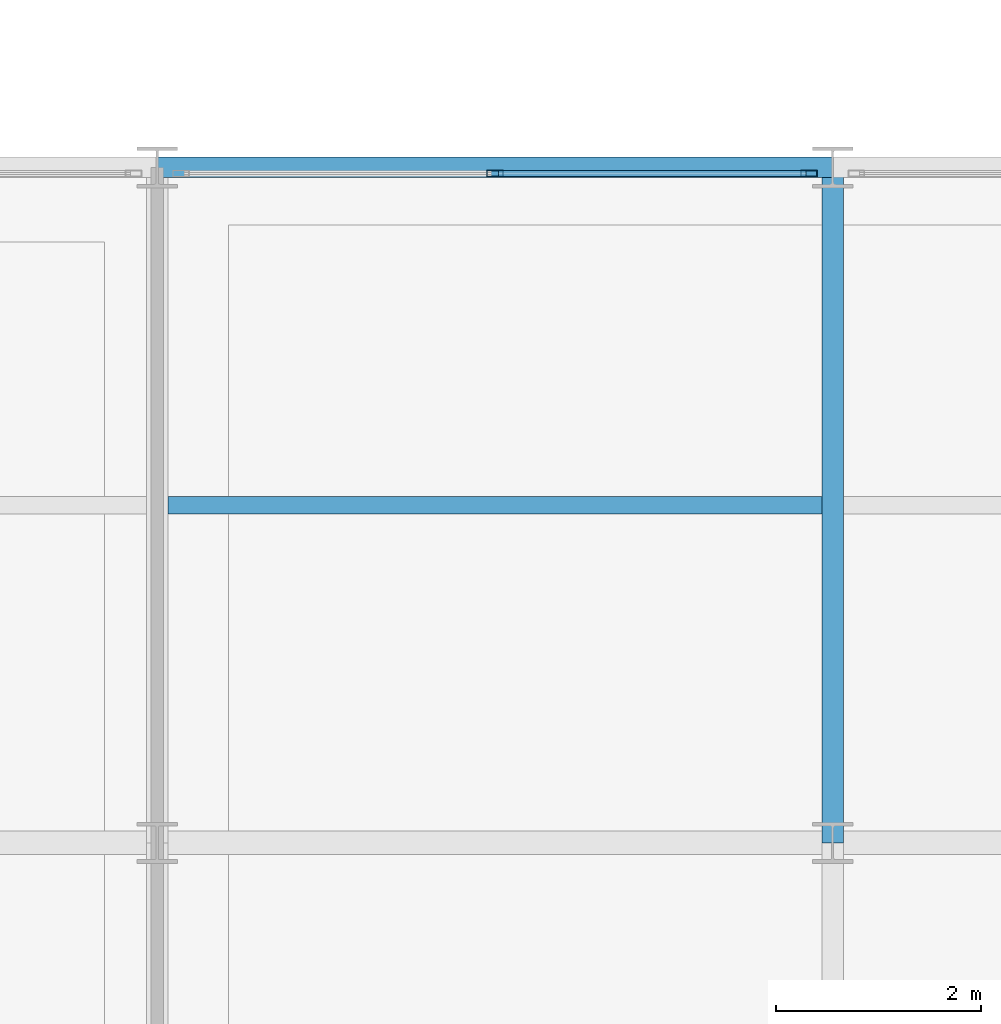
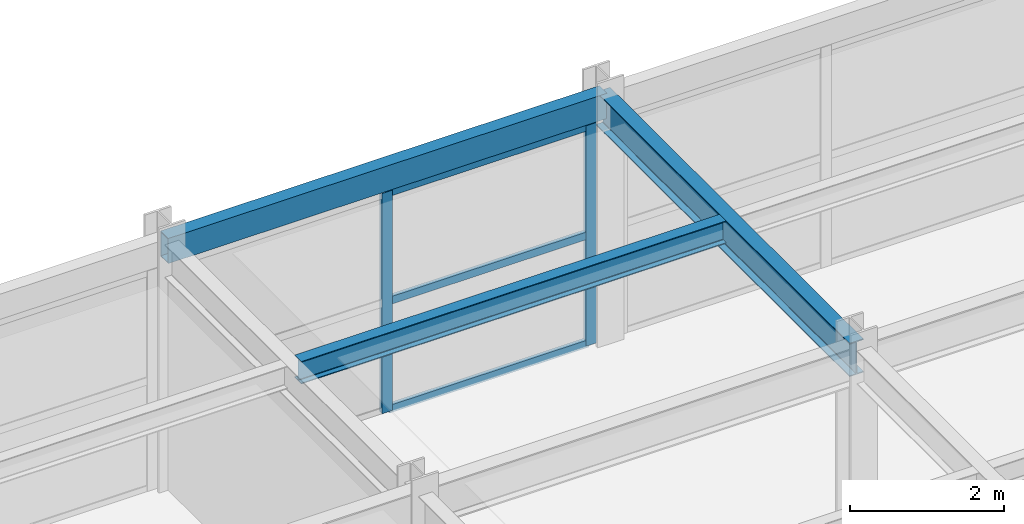
# One storey, part 56 of 147: 5 members, 3 beams, 1 element without a shape of its own.
"""IFC4 building model written with IfcOpenShell, lengths in metres."""

from ifc_helpers import new_model, si_unit, direction, frame, origin, origin_2d, place, context, subcontext, project, spatial, hollow_rectangle, i_section, extrude, material, material_profile, profile_set, type_object, element, aggregate, save


model = new_model("IFC4")

# Units and contexts
model_context = context("Model", 3, precision=1e-05, world=origin(), true_north=direction((0.0, 1.0)))
body_context = subcontext(model_context, "Body", "Model", "MODEL_VIEW")
ifc_project = project(units=[si_unit("LENGTHUNIT", "METRE"), si_unit("AREAUNIT", "SQUARE_METRE"), si_unit("VOLUMEUNIT", "CUBIC_METRE"), si_unit("PLANEANGLEUNIT", "RADIAN"), si_unit("MASSUNIT", "GRAM", prefix="KILO")], contexts=[model_context])

# Site, building, storey
site_placement = place(None, origin())
site = spatial("IfcSite", under=ifc_project, at=site_placement, CompositionType="ELEMENT")
building_placement = place(site_placement, origin())
building = spatial("IfcBuilding", under=site, at=building_placement, Name="Karori Crest Natural Sciences Institute", CompositionType="ELEMENT")
storey_placement = place(building_placement, frame((0.0, 0.0, 9.10009765625)))
storey = spatial("IfcBuildingStorey", under=building, at=storey_placement, Name="L02", CompositionType="ELEMENT", Elevation=9.10009765625)

# Beams
ifc_material_1 = material(Name="Structural steel AS/NZS 3679.1 Grade 350", Category="steel")
ifc_material_profile_1 = material_profile(ifc_material_1, i_section(OverallWidth=0.208984375, OverallDepth=0.532958984375, WebThickness=0.01025390625, FlangeThickness=0.015625, FilletRadius=0.013916015625, at=origin_2d()), Name="530UB92.4")
ifc_profile_set_1 = profile_set([ifc_material_profile_1], Name="Structural steel AS/NZS 3679.1 Grade 350")
beam_type_1 = type_object("IfcBeamType", Name="BT-05", PredefinedType="BEAM", material=ifc_profile_set_1)
beam_1_placement = place(storey_placement, frame((116.800048828125, 14.0, 3.6533203125), z_axis=(0.0, 1.0, 0.0), x_axis=(-1.0, 0.0, 0.0)))
element("IfcBeam", 1, at=beam_1_placement, inside=storey, type_object=beam_type_1, Name="Beam B-2237", PredefinedType="BEAM", context=body_context, shape_type="SweptSolid", body=[
    extrude(i_section(OverallWidth=0.208984375, OverallDepth=0.532958984375, WebThickness=0.01025390625, FlangeThickness=0.015625, FilletRadius=0.013916015625, at=origin_2d()), origin(), (0.0, 0.0, 1.0), 6.60009765625),
])
ifc_material_profile_2 = material_profile(ifc_material_1, i_section(OverallWidth=0.172119140625, OverallDepth=0.35888671875, WebThickness=0.008056640625, FlangeThickness=0.012939453125, FilletRadius=0.010986328125, at=origin_2d()), Name="360UB56.7")
ifc_profile_set_2 = profile_set([ifc_material_profile_2], Name="Structural steel AS/NZS 3679.1 Grade 350")
beam_type_2 = type_object("IfcBeamType", Name="BT-08", PredefinedType="BEAM", material=ifc_profile_set_2)
beam_2_placement = place(storey_placement, frame((110.304443359375, 17.300048828125, 3.740478515625), z_axis=(1.0, 0.0, 0.0), x_axis=(0.0, 1.0, 0.0)))
element("IfcBeam", 2, at=beam_2_placement, inside=storey, type_object=beam_type_2, Name="Beam B-2262", PredefinedType="BEAM", context=body_context, shape_type="SweptSolid", body=[
    extrude(i_section(OverallWidth=0.172119140625, OverallDepth=0.35888671875, WebThickness=0.008056640625, FlangeThickness=0.012939453125, FilletRadius=0.010986328125, at=origin_2d()), origin(), (0.0, 0.0, 1.0), 6.39111328125),
])
ifc_material_2 = material(Name="Hollow structural steel AS/NZS 1163 Grade C350", Category="steel")
ifc_material_profile_3 = material_profile(ifc_material_2, hollow_rectangle(XDim=0.199951171875, YDim=0.39990234375, WallThickness=0.012451171875, at=origin_2d()), Name="RHS400x200x12.5")
ifc_profile_set_3 = profile_set([ifc_material_profile_3], Name="Hollow structural steel AS/NZS 1163 Grade C350")
beam_type_3 = type_object("IfcBeamType", Name="BT-14", PredefinedType="SPANDREL", material=ifc_profile_set_3)
beam_3_placement = place(storey_placement, frame((110.199951171875, 20.60009765625, 3.719970703125), z_axis=(1.0, 0.0, 0.0), x_axis=(0.0, 1.0, 0.0)))
element("IfcBeam", 3, at=beam_3_placement, inside=storey, type_object=beam_type_3, Name="Beam B-2221", PredefinedType="SPANDREL", context=body_context, shape_type="SweptSolid", body=[
    extrude(hollow_rectangle(XDim=0.199951171875, YDim=0.39990234375, WallThickness=0.012451171875, at=origin_2d()), origin(), (0.0, 0.0, 1.0), 6.60009765625),
])

# Curtain wall, members
ifc_material_3 = material(Name="Anodised architectural aluminium 6063-T6", Category="aluminium")
curtain_wall_type = type_object("IfcCurtainWallType", Name="CWT-20", PredefinedType="NOTDEFINED", material=ifc_material_3)
curtain_wall_placement = place(storey_placement, origin())
curtain_wall = element("IfcCurtainWall", 4, at=curtain_wall_placement, inside=storey, type_object=curtain_wall_type, Name="Curtain wall CW-0314", PredefinedType="NOTDEFINED")
ifc_material_profile_4 = material_profile(ifc_material_3, hollow_rectangle(XDim=0.06494140625, YDim=0.159912109375, WallThickness=0.00390625, at=origin_2d()), Name="CWM160x65x4")
ifc_profile_set_4 = profile_set([ifc_material_profile_4], Name="Anodised architectural aluminium 6063-T6")
member_type_1 = type_object("IfcMemberType", Name="CWM-01", PredefinedType="MULLION", material=ifc_profile_set_4)
member_1_placement = place(storey_placement, frame((113.5, 20.5400390625, 0.0), z_axis=(0.0, 0.0, 1.0), x_axis=(0.0, 1.0, 0.0)))
member_1 = element("IfcMember", 5, at=member_1_placement, type_object=member_type_1, Name="CW-0314 mullion 2", PredefinedType="MULLION", context=body_context, shape_type="SweptSolid", body=[
    extrude(hollow_rectangle(XDim=0.06494140625, YDim=0.159912109375, WallThickness=0.00390625, at=origin_2d()), origin(), (0.0, 0.0, 1.0), 3.5048828125),
])
member_2_placement = place(storey_placement, frame((116.569580078125, 20.5400390625, 0.0), z_axis=(0.0, 0.0, 1.0), x_axis=(0.0, 1.0, 0.0)))
member_2 = element("IfcMember", 6, at=member_2_placement, type_object=member_type_1, Name="CW-0314 mullion 3", PredefinedType="MULLION", context=body_context, shape_type="SweptSolid", body=[
    extrude(hollow_rectangle(XDim=0.06494140625, YDim=0.159912109375, WallThickness=0.00390625, at=origin_2d()), origin(), (0.0, 0.0, 1.0), 3.5048828125),
])
ifc_material_profile_5 = material_profile(ifc_material_3, hollow_rectangle(XDim=0.06005859375, YDim=0.1201171875, WallThickness=0.00390625, at=origin_2d()), Name="CWT120x60x4")
ifc_profile_set_5 = profile_set([ifc_material_profile_5], Name="Anodised architectural aluminium 6063-T6")
member_type_2 = type_object("IfcMemberType", Name="CWT-TR1", PredefinedType="USERDEFINED", material=ifc_profile_set_5)
member_3_placement = place(storey_placement, frame((113.532470703125, 20.5400390625, 0.02978515625), z_axis=(1.0, 0.0, 0.0), x_axis=(0.0, 1.0, 0.0)))
member_3 = element("IfcMember", 7, at=member_3_placement, type_object=member_type_2, Name="CW-0314 transom 2.1", ObjectType="TRANSOM", PredefinedType="USERDEFINED", context=body_context, shape_type="SweptSolid", body=[
    extrude(hollow_rectangle(XDim=0.06005859375, YDim=0.1201171875, WallThickness=0.00390625, at=origin_2d()), origin(), (0.0, 0.0, 1.0), 3.004638671875),
])
member_4_placement = place(storey_placement, frame((113.532470703125, 20.5400390625, 1.75244140625), z_axis=(1.0, 0.0, 0.0), x_axis=(0.0, 1.0, 0.0)))
member_4 = element("IfcMember", 8, at=member_4_placement, type_object=member_type_2, Name="CW-0314 transom 2.2", ObjectType="TRANSOM", PredefinedType="USERDEFINED", context=body_context, shape_type="SweptSolid", body=[
    extrude(hollow_rectangle(XDim=0.06005859375, YDim=0.1201171875, WallThickness=0.00390625, at=origin_2d()), origin(), (0.0, 0.0, 1.0), 3.004638671875),
])
member_5_placement = place(storey_placement, frame((113.532470703125, 20.5400390625, 3.474853515625), z_axis=(1.0, 0.0, 0.0), x_axis=(0.0, 1.0, 0.0)))
member_5 = element("IfcMember", 9, at=member_5_placement, type_object=member_type_2, Name="CW-0314 transom 2.3", ObjectType="TRANSOM", PredefinedType="USERDEFINED", context=body_context, shape_type="SweptSolid", body=[
    extrude(hollow_rectangle(XDim=0.06005859375, YDim=0.1201171875, WallThickness=0.00390625, at=origin_2d()), origin(), (0.0, 0.0, 1.0), 3.004638671875),
])
aggregate(curtain_wall, [member_1, member_2, member_3, member_4, member_5])

save(model, "model.ifc")
